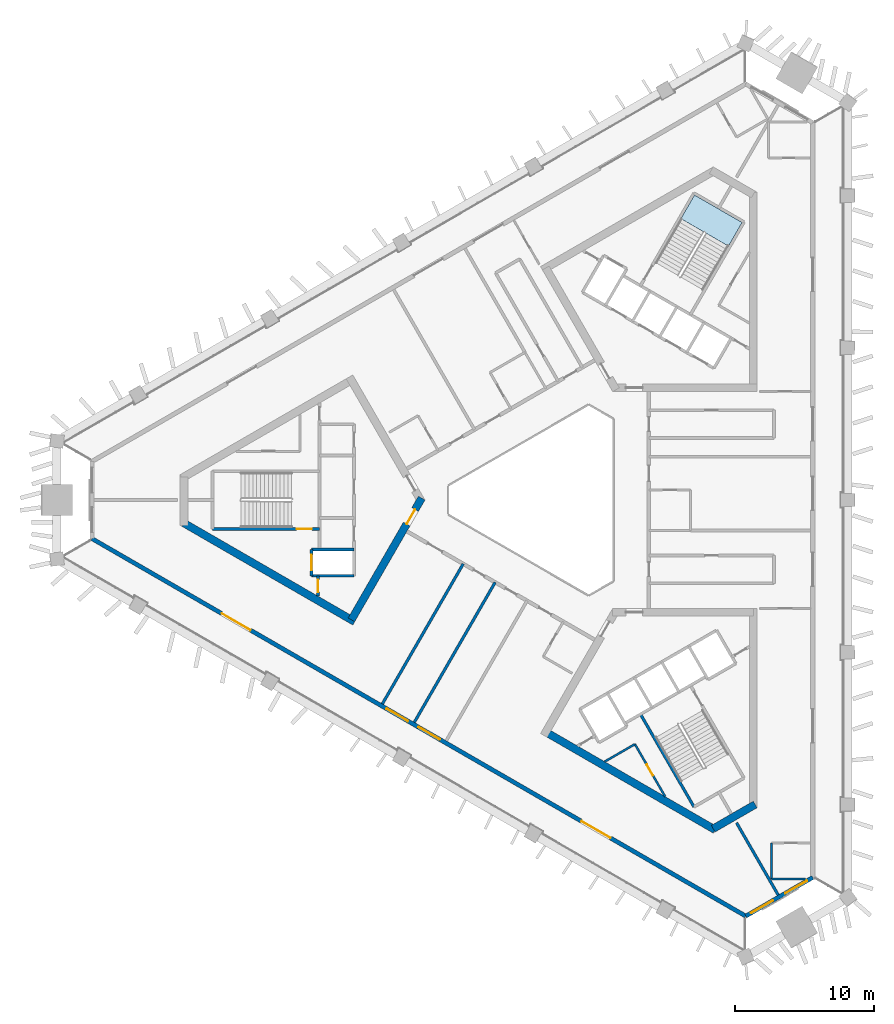
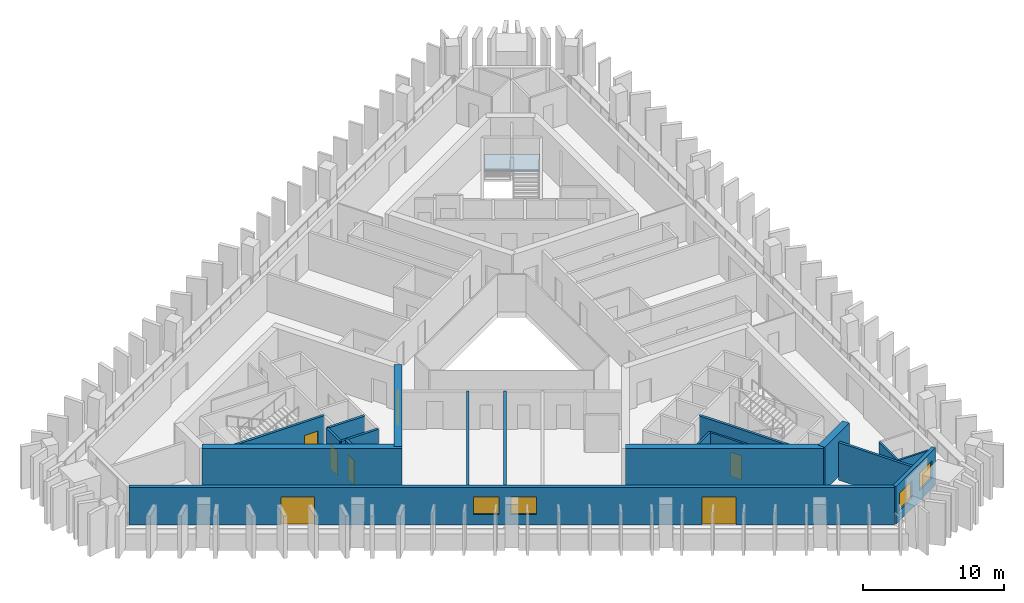
# One storey, part 2 of 10: 19 walls, 7 doors, 4 windows, 1 slab, 11 openings, 1 element without a shape of its own.
"""IFC4 building model written with IfcOpenShell, lengths in metres."""

import ifcopenshell
import ifcopenshell.guid

model = None  # the IFC model being written
_history = None  # IfcOwnerHistory: only IFC2X3 demands one
_inside = {}  # id of a spatial element -> (the spatial element, [elements in it])
_under = {}  # id of a project, library or spatial element -> (it, [spatial elements below it])
_declared = {}  # id of a project -> (the project, [libraries it declares])
_typed = {}  # id of a type object -> (the type object, [elements of that type])
_made_of = {}  # id of a material, layer set ... -> (it, [elements and type objects made of it])


def new_model(schema):
    """Start an empty IFC model of exactly this schema.

    Asked for "IFC4X3", IfcOpenShell would pick the latest addendum, in which some entities
    have other attributes; the version numbers below select the first issue.
    IFC2X3 requires an IfcOwnerHistory on every rooted entity: one is made here for all.
    """
    global model, _history
    if schema == "IFC4X3":
        model = ifcopenshell.file(schema_version=(4, 3, 0, 0))
    else:
        model = ifcopenshell.file(schema=schema)
    _inside.clear()
    _under.clear()
    _declared.clear()
    _typed.clear()
    _made_of.clear()
    _history = None
    if model.schema == "IFC2X3":
        org = make("IfcOrganization", Name="unknown")
        user = make(
            "IfcPersonAndOrganization",
            ThePerson=make("IfcPerson", FamilyName="unknown"),
            TheOrganization=org,
        )
        app = make(
            "IfcApplication",
            ApplicationDeveloper=org,
            Version="unknown",
            ApplicationFullName="unknown",
            ApplicationIdentifier="unknown",
        )
        _history = make(
            "IfcOwnerHistory",
            OwningUser=user,
            OwningApplication=app,
            ChangeAction="ADDED",
            CreationDate=0,
        )
    return model


def make(cls, **values):
    """One entity of the class cls with the attributes given. An attribute that is None is left unset."""
    return model.create_entity(
        cls, **{name: value for name, value in values.items() if value is not None}
    )


def rooted(cls, **values):
    """An entity with a GlobalId (a new one), such as an element, a storey or a relation."""
    return make(cls, GlobalId=ifcopenshell.guid.new(), OwnerHistory=_history, **values)


def si_unit(unit_type, name, prefix=None):
    """IfcSIUnit, for example si_unit("LENGTHUNIT", "METRE", prefix="MILLI")."""
    return make("IfcSIUnit", UnitType=unit_type, Prefix=prefix, Name=name)


def assignment(units):
    """IfcUnitAssignment: the units of a project."""
    return None if units is None else make("IfcUnitAssignment", Units=units)


def point(xyz):
    """IfcCartesianPoint."""
    return None if xyz is None else make("IfcCartesianPoint", Coordinates=xyz)


def direction(xyz):
    """IfcDirection."""
    return None if xyz is None else make("IfcDirection", DirectionRatios=xyz)


def frame(location, z_axis=None, x_axis=None):
    """IfcAxis2Placement3D, a coordinate frame: its origin and axes. An axis left out is left unset."""
    return make(
        "IfcAxis2Placement3D",
        Location=point(location),
        Axis=direction(z_axis),
        RefDirection=direction(x_axis),
    )


def frame_2d(location, x_axis=None):
    """IfcAxis2Placement2D, a coordinate frame in the plane: its origin and x axis."""
    return make(
        "IfcAxis2Placement2D", Location=point(location), RefDirection=direction(x_axis)
    )


def origin():
    """The frame at (0, 0, 0) with its axes left unset."""
    return frame((0.0, 0.0, 0.0))


def place(relative_to, where):
    """IfcLocalPlacement: puts the frame where relative to a parent placement (None: the world)."""
    return make(
        "IfcLocalPlacement", PlacementRelTo=relative_to, RelativePlacement=where
    )


def context(
    kind, dimensions, precision=None, world=None, true_north=None, identifier=None
):
    """IfcGeometricRepresentationContext, for example the 3D "Model" context."""
    return make(
        "IfcGeometricRepresentationContext",
        ContextIdentifier=identifier,
        ContextType=kind,
        CoordinateSpaceDimension=dimensions,
        Precision=precision,
        WorldCoordinateSystem=world,
        TrueNorth=true_north,
    )


def subcontext(parent, identifier, kind, view, scale=None):
    """IfcGeometricRepresentationSubContext, for example "Body" below "Model"."""
    return make(
        "IfcGeometricRepresentationSubContext",
        ContextIdentifier=identifier,
        ContextType=kind,
        ParentContext=parent,
        TargetScale=scale,
        TargetView=view,
    )


def project(units=None, contexts=None):
    """IfcProject with its units and contexts."""
    return rooted(
        "IfcProject",
        Name="project",
        RepresentationContexts=contexts,
        UnitsInContext=assignment(units),
    )


def spatial(cls, under=None, at=None, **own):
    """A site, building, storey or space (cls), placed at a placement, below another one or the project."""
    s = rooted(cls, ObjectPlacement=at, **own)
    if under is not None:
        _under.setdefault(under.id(), (under, []))[1].append(s)
    return s


def polyline(points):
    """IfcPolyline through the points."""
    return make("IfcPolyline", Points=[point(p) for p in points])


def profile(cls, at=None, kind="AREA", **sizes):
    """A parametric profile (cls). Its sizes go by their IFC names, for example OverallWidth=200.0."""
    return make(cls, ProfileType=kind, Position=at, **sizes)


def rectangle(**sizes):
    """IfcRectangleProfileDef."""
    return profile("IfcRectangleProfileDef", **sizes)


def outline(outer, holes=None, kind="AREA"):
    """IfcArbitraryClosedProfileDef: a profile drawn as a closed curve; with holes, ...WithVoids."""
    if holes is None:
        return make("IfcArbitraryClosedProfileDef", ProfileType=kind, OuterCurve=outer)
    return make(
        "IfcArbitraryProfileDefWithVoids",
        ProfileType=kind,
        OuterCurve=outer,
        InnerCurves=holes,
    )


def extrude(swept, where, along, depth):
    """IfcExtrudedAreaSolid: the profile swept, set in the frame where, extruded along a direction by depth."""
    return make(
        "IfcExtrudedAreaSolid",
        SweptArea=swept,
        Position=where,
        ExtrudedDirection=direction(along),
        Depth=depth,
    )


def shape(context_of_items, identifier, shape_type, items):
    """IfcShapeRepresentation: the items that make up one representation, for example the "Body"."""
    return make(
        "IfcShapeRepresentation",
        ContextOfItems=context_of_items,
        RepresentationIdentifier=identifier,
        RepresentationType=shape_type,
        Items=items,
    )


def material(Name=None, Category=None):
    """IfcMaterial."""
    return make("IfcMaterial", Name=Name, Category=Category)


def layer(
    of_material, thickness, ventilated=None, Name=None, Category=None, Priority=None
):
    """IfcMaterialLayer: one layer of a wall or slab, of a material (None: an air gap)."""
    return make(
        "IfcMaterialLayer",
        Material=of_material,
        LayerThickness=thickness,
        IsVentilated=ventilated,
        Name=Name,
        Category=Category,
        Priority=Priority,
    )


def layer_set(layers, Name=None):
    """IfcMaterialLayerSet."""
    return make("IfcMaterialLayerSet", MaterialLayers=layers, LayerSetName=Name)


def made_of(thing, what):
    """Note that an element or type object is made of a material, layer set ...; save() writes the relation."""
    if what is not None:
        _made_of.setdefault(what.id(), (what, []))[1].append(thing)
    return thing


def type_object(cls, material=None, **own):
    """A type object (cls), such as IfcWallType, which elements share."""
    return made_of(rooted(cls, **own), material)


def element(
    cls,
    number,
    at=None,
    inside=None,
    cuts=None,
    type_object=None,
    material=None,
    context=None,
    identifier="Body",
    shape_type=None,
    held_by="IfcProductDefinitionShape",
    body=None,
    shapes=None,
    **own,
):
    """One element of the class cls, such as IfcWall. Its Tag is "e" and its number.

    at: its placement. inside: the storey or other place that contains it. cuts: it is an
    opening in that element (IfcRelVoidsElement). A single representation is given by context,
    identifier, shape_type and body (its items); several are given by shapes. held_by: the class
    of the entity that holds the representations. save() writes the other relations.
    """
    e = rooted(cls, Tag="e%d" % number, ObjectPlacement=at, **own)
    if body is not None:
        shapes = [shape(context, identifier, shape_type, body)]
    if shapes is not None:
        e.Representation = make(held_by, Representations=shapes)
    if inside is not None:
        _inside.setdefault(inside.id(), (inside, []))[1].append(e)
    if cuts is not None:
        rooted(
            "IfcRelVoidsElement", RelatingBuildingElement=cuts, RelatedOpeningElement=e
        )
    if type_object is not None:
        _typed.setdefault(type_object.id(), (type_object, []))[1].append(e)
    return made_of(e, material)


def fill(opening, filler):
    """IfcRelFillsElement: the door or window that sits in an opening."""
    return rooted(
        "IfcRelFillsElement",
        RelatingOpeningElement=opening,
        RelatedBuildingElement=filler,
    )


def aggregate(whole, parts):
    """IfcRelAggregates: a whole, such as a stair, and the parts it consists of."""
    return rooted("IfcRelAggregates", RelatingObject=whole, RelatedObjects=parts)


def save(model, path):
    """Write the relations noted so far, then the file.

    IfcRelAggregates (storeys below a building ...), IfcRelContainedInSpatialStructure (elements
    in a storey), IfcRelDefinesByType, IfcRelAssociatesMaterial and IfcRelDeclares: one each for
    every whole, place, type object, material and project.
    """
    for whole, parts in _under.values():
        aggregate(whole, parts)
    for where, things in _inside.values():
        rooted(
            "IfcRelContainedInSpatialStructure",
            RelatedElements=things,
            RelatingStructure=where,
        )
    for kind, things in _typed.values():
        rooted("IfcRelDefinesByType", RelatedObjects=things, RelatingType=kind)
    for what, things in _made_of.values():
        rooted("IfcRelAssociatesMaterial", RelatedObjects=things, RelatingMaterial=what)
    for by, libraries in _declared.values():
        rooted("IfcRelDeclares", RelatingContext=by, RelatedDefinitions=libraries)
    model.write(path)


model = new_model("IFC4")

# Units and contexts
model_context = context("Model", 3, precision=1e-05, world=origin(), true_north=direction((0.0, 1.0)))
body_context = subcontext(model_context, "Body", "Model", "MODEL_VIEW")
ifc_project = project(units=[si_unit("LENGTHUNIT", "METRE"), si_unit("AREAUNIT", "SQUARE_METRE"), si_unit("VOLUMEUNIT", "CUBIC_METRE"), si_unit("PLANEANGLEUNIT", "RADIAN"), si_unit("MASSUNIT", "GRAM", prefix="KILO")], contexts=[model_context])

# Site, building, storey
site_placement = place(None, origin())
site = spatial("IfcSite", under=ifc_project, at=site_placement, CompositionType="ELEMENT")
building_placement = place(site_placement, origin())
building = spatial("IfcBuilding", under=site, at=building_placement, Name="Jabali Bay Hotel Tower and Convention Centre", CompositionType="ELEMENT")
storey_placement = place(building_placement, frame((0.0, 0.0, 160.0)))
storey = spatial("IfcBuildingStorey", under=building, at=storey_placement, Name="L38", CompositionType="ELEMENT", Elevation=160.0)

# Stair, slab
ifc_material_1 = material(Name="Concrete C40", Category="concrete")
stair_type = type_object("IfcStairType", Name="Exit stair 1900", PredefinedType="HALF_TURN_STAIR", material=ifc_material_1)
stair_placement = place(storey_placement, origin())
stair = element("IfcStair", 1, at=stair_placement, inside=storey, type_object=stair_type, Name="L38 Exit Stair 2", PredefinedType="HALF_TURN_STAIR")
ifc_layer_1 = layer(ifc_material_1, 0.199951171875)
ifc_layer_set_1 = layer_set([ifc_layer_1], Name="Concrete C40")
slab_type = type_object("IfcSlabType", Name="Stair landing 200", PredefinedType="LANDING", material=ifc_layer_set_1)
slab_placement = place(storey_placement, frame((0.0, 0.0, 1.64990234375)))
slab = element("IfcSlab", 2, at=slab_placement, type_object=slab_type, Name="ST2 landing 1", PredefinedType="LANDING", context=body_context, shape_type="SweptSolid", body=[
    extrude(outline(polyline([(87.81884765625, 98.2529296875), (88.80029296875, 99.952880859375), (85.379638671875, 101.927978515625), (84.398193359375, 100.22802734375), (87.81884765625, 98.2529296875)])), origin(), (0.0, 0.0, 1.0), 0.2001953125),
])
aggregate(stair, [slab])

# Wall, opening, door
ifc_layer_2 = layer(ifc_material_1, 0.199951171875)
ifc_layer_set_2 = layer_set([ifc_layer_2], Name="Concrete C40")
wall_type_1 = type_object("IfcWallType", Name="Core partition wall 200", PredefinedType="PARTITIONING", material=ifc_layer_set_2)
wall_1_placement = place(storey_placement, frame((58.300048828125, 74.550048828125, 0.0), z_axis=(0.0, 0.0, 1.0), x_axis=(0.0, -1.0, 0.0)))
wall_1 = element("IfcWall", 3, at=wall_1_placement, inside=storey, type_object=wall_type_1, Name="Core wall 0.11 L38", PredefinedType="PARTITIONING", context=body_context, shape_type="SweptSolid", body=[
    extrude(rectangle(XDim=1.455078125, YDim=0.199951171875, at=frame_2d((0.7275390625, 0.0))), origin(), (0.0, 0.0, 1.0), 3.25),
])
opening_1_placement = place(wall_1_placement, frame((0.277587890625, 0.0, 0.0)))
opening_1 = element("IfcOpeningElement", 4, at=opening_1_placement, cuts=wall_1, Name="Opening D829", PredefinedType="OPENING", context=body_context, shape_type="SweptSolid", body=[
    extrude(rectangle(XDim=0.89990234375, YDim=2.10009765625, at=frame_2d((0.449951171875, 1.050048828125))), frame((0.0, 0.1103515625, 0.0), z_axis=(0.0, -1.0, 0.0), x_axis=(1.0, 0.0, 0.0)), (0.0, 0.0, 1.0), 0.220947265625),
])
ifc_material_2 = material(Name="Fire-rated steel door", Category="steel")
door_type_1 = type_object("IfcDoorType", Name="Vestibule fire door 900 x 2100", OperationType="NOTDEFINED", PredefinedType="NOTDEFINED", material=ifc_material_2)
door_1_placement = place(opening_1_placement, origin())
door_1 = element("IfcDoor", 5, at=door_1_placement, inside=storey, type_object=door_type_1, Name="Vestibule fire door D829", OperationType="SINGLE_SWING_LEFT", OverallHeight=2.10009765625, OverallWidth=0.89990234375, PredefinedType="NOTDEFINED", context=body_context, shape_type="SweptSolid", body=[
    extrude(rectangle(XDim=0.89990234375, YDim=2.10009765625, at=frame_2d((0.449951171875, 1.050048828125))), frame((0.0, 0.02490234375, 0.0), z_axis=(0.0, -1.0, 0.0), x_axis=(1.0, 0.0, 0.0)), (0.0, 0.0, 1.0), 0.050048828125),
])
fill(opening_1, door_1)

ifc_material_3 = material(Name="Fire-rated board partition")
ifc_layer_3 = layer(ifc_material_3, 0.14990234375)
ifc_layer_set_3 = layer_set([ifc_layer_3], Name="Fire-rated board partition")
wall_type_2 = type_object("IfcWallType", Name="Core room partition 150", PredefinedType="PARTITIONING", material=ifc_layer_set_3)
wall_2_placement = place(storey_placement, frame((81.093994140625, 62.445068359375, 0.0), z_axis=(0.0, 0.0, 1.0), x_axis=(0.499980071345, -0.866036909293, 0.0)))
wall_2 = element("IfcWall", 6, at=wall_2_placement, inside=storey, type_object=wall_type_2, Name="Core wall 2.1 L38", PredefinedType="PARTITIONING", context=body_context, shape_type="SweptSolid", body=[
    extrude(rectangle(XDim=4.347900390625, YDim=0.14990234375, at=frame_2d((2.173828125, 0.0))), origin(), (0.0, 0.0, 1.0), 3.25),
])
opening_2_placement = place(wall_2_placement, frame((1.696533203125, 0.0, 0.0)))
opening_2 = element("IfcOpeningElement", 7, at=opening_2_placement, cuts=wall_2, Name="Opening D844", PredefinedType="OPENING", context=body_context, shape_type="SweptSolid", body=[
    extrude(rectangle(XDim=0.89990234375, YDim=2.10009765625, at=frame_2d((0.449951171875, 1.050048828125))), frame((0.0, 0.08544921875, 0.0), z_axis=(0.0, -1.0, 0.0), x_axis=(1.0, 0.0, 0.0)), (0.0, 0.0, 1.0), 0.1708984375),
])
door_type_2 = type_object("IfcDoorType", Name="Core room door 900 x 2100", OperationType="NOTDEFINED", PredefinedType="NOTDEFINED", material=ifc_material_2)
door_2_placement = place(opening_2_placement, origin())
door_2 = element("IfcDoor", 8, at=door_2_placement, inside=storey, type_object=door_type_2, Name="Core room door D844", OperationType="SINGLE_SWING_LEFT", OverallHeight=2.10009765625, OverallWidth=0.89990234375, PredefinedType="NOTDEFINED", context=body_context, shape_type="SweptSolid", body=[
    extrude(rectangle(XDim=0.89990234375, YDim=2.10009765625, at=frame_2d((0.449951171875, 1.050048828125))), frame((0.0, 0.02490234375, 0.0), z_axis=(0.0, -1.0, 0.0), x_axis=(1.0, 0.0, 0.0)), (0.0, 0.0, 1.0), 0.050048828125),
])
fill(opening_2, door_2)

# Wall
wall_3_placement = place(storey_placement, frame((78.919921875, 61.18994140625, 0.0), z_axis=(0.0, 0.0, 1.0), x_axis=(0.866038211682, 0.499977815414, 0.0)))
element("IfcWall", 9, at=wall_3_placement, inside=storey, type_object=wall_type_2, Name="Core wall 2.16 L38", PredefinedType="PARTITIONING", context=body_context, shape_type="SweptSolid", body=[
    extrude(rectangle(XDim=2.51025390625, YDim=0.14990234375, at=frame_2d((1.255126953125, 0.0))), origin(), (0.0, 0.0, 1.0), 3.25),
])

# Wall, opening, door
ifc_layer_4 = layer(ifc_material_1, 0.199951171875)
ifc_layer_set_4 = layer_set([ifc_layer_4], Name="Concrete C40")
wall_type_3 = type_object("IfcWallType", Name="Core stair wall 200", PredefinedType="SOLIDWALL", material=ifc_layer_set_4)
wall_4_placement = place(storey_placement, frame((58.419921875, 77.925048828125, 0.0), z_axis=(0.0, 0.0, 1.0), x_axis=(-1.0, 0.0, 0.0)))
wall_4 = element("IfcWall", 10, at=wall_4_placement, inside=storey, type_object=wall_type_3, Name="Core wall 0.6 L38", PredefinedType="SOLIDWALL", context=body_context, shape_type="SweptSolid", body=[
    extrude(rectangle(XDim=7.699951171875, YDim=0.199951171875, at=frame_2d((3.85009765625, 0.0))), origin(), (0.0, 0.0, 1.0), 3.25),
])
opening_3_placement = place(wall_4_placement, frame((0.550048828125, 0.0, 0.0)))
opening_3 = element("IfcOpeningElement", 11, at=opening_3_placement, cuts=wall_4, Name="Opening D831", PredefinedType="OPENING", context=body_context, shape_type="SweptSolid", body=[
    extrude(rectangle(XDim=1.10009765625, YDim=2.10009765625, at=frame_2d((0.550048828125, 1.050048828125))), frame((0.0, 0.1103515625, 0.0), z_axis=(0.0, -1.0, 0.0), x_axis=(1.0, 0.0, 0.0)), (0.0, 0.0, 1.0), 0.220947265625),
])
door_type_3 = type_object("IfcDoorType", Name="Stair fire door 1100 x 2100", OperationType="NOTDEFINED", PredefinedType="NOTDEFINED", material=ifc_material_2)
door_3_placement = place(opening_3_placement, origin())
door_3 = element("IfcDoor", 12, at=door_3_placement, inside=storey, type_object=door_type_3, Name="Stair fire door D831", OperationType="SINGLE_SWING_RIGHT", OverallHeight=2.10009765625, OverallWidth=1.10009765625, PredefinedType="NOTDEFINED", context=body_context, shape_type="SweptSolid", body=[
    extrude(rectangle(XDim=1.10009765625, YDim=2.10009765625, at=frame_2d((0.550048828125, 1.050048828125))), frame((0.0, 0.02490234375, 0.0), z_axis=(0.0, -1.0, 0.0), x_axis=(1.0, 0.0, 0.0)), (0.0, 0.0, 1.0), 0.050048828125),
])
fill(opening_3, door_3)

# Walls
for number, where, z_axis, x_axis, name in (
    (13, (60.89990234375, 76.449951171875, 0.0), (0.0, 0.0, 1.0), (-1.0, 0.0, 0.0), "Core wall 0.7 L38"),
    (14, (60.89990234375, 74.550048828125, 0.0), (0.0, 0.0, 1.0), (-1.0, 0.0, 0.0), "Core wall 0.8 L38"),
):
    element("IfcWall", number, at=place(storey_placement, frame(where, z_axis=z_axis, x_axis=x_axis)), inside=storey, type_object=wall_type_3, Name=name, PredefinedType="SOLIDWALL", context=body_context, shape_type="SweptSolid", body=[
        extrude(rectangle(XDim=3.0498046875, YDim=0.199951171875, at=frame_2d((1.52490234375, 0.0))), origin(), (0.0, 0.0, 1.0), 3.25),
    ])

# Wall, opening, door
wall_5_placement = place(storey_placement, frame((57.85009765625, 76.449951171875, 0.0), z_axis=(0.0, 0.0, 1.0), x_axis=(0.0, -1.0, 0.0)))
wall_5 = element("IfcWall", 15, at=wall_5_placement, inside=storey, type_object=wall_type_3, Name="Core wall 0.12 L38", PredefinedType="SOLIDWALL", context=body_context, shape_type="SweptSolid", body=[
    extrude(rectangle(XDim=1.89990234375, YDim=0.199951171875, at=frame_2d((0.949951171875, 0.0))), origin(), (0.0, 0.0, 1.0), 3.25),
])
opening_4_placement = place(wall_5_placement, frame((0.39990234375, 0.0, 0.0)))
opening_4 = element("IfcOpeningElement", 16, at=opening_4_placement, cuts=wall_5, Name="Opening LD5-L38", PredefinedType="OPENING", context=body_context, shape_type="SweptSolid", body=[
    extrude(rectangle(XDim=1.10009765625, YDim=2.10009765625, at=frame_2d((0.550048828125, 1.050048828125))), frame((0.0, 0.1103515625, 0.0), z_axis=(0.0, -1.0, 0.0), x_axis=(1.0, 0.0, 0.0)), (0.0, 0.0, 1.0), 0.220947265625),
])
ifc_material_4 = material(Name="Stainless steel landing door", Category="steel")
door_type_4 = type_object("IfcDoorType", Name="Landing door 1100 x 2100", OperationType="NOTDEFINED", PredefinedType="NOTDEFINED", material=ifc_material_4)
door_4_placement = place(opening_4_placement, origin())
door_4 = element("IfcDoor", 17, at=door_4_placement, inside=storey, type_object=door_type_4, Name="Landing doors LD5-L38", OperationType="SLIDING_TO_RIGHT", OverallHeight=2.10009765625, OverallWidth=1.10009765625, PredefinedType="NOTDEFINED", context=body_context, shape_type="SweptSolid", body=[
    extrude(rectangle(XDim=1.10009765625, YDim=2.10009765625, at=frame_2d((0.550048828125, 1.050048828125))), frame((0.0, 0.02490234375, 0.0), z_axis=(0.0, -1.0, 0.0), x_axis=(1.0, 0.0, 0.0)), (0.0, 0.0, 1.0), 0.050048828125),
])
fill(opening_4, door_4)

# Walls
wall_6_placement = place(storey_placement, frame((81.492919921875, 64.603759765625, 0.0), z_axis=(0.0, 0.0, 1.0), x_axis=(0.500006057782, -0.866021906294, 0.0)))
element("IfcWall", 18, at=wall_6_placement, inside=storey, type_object=wall_type_3, Name="Core wall 2.3 L38", PredefinedType="SOLIDWALL", context=body_context, shape_type="SweptSolid", body=[
    extrude(rectangle(XDim=7.7001953125, YDim=0.199951171875, at=frame_2d((3.85009765625, 0.0))), origin(), (0.0, 0.0, 1.0), 3.25),
])
ifc_material_5 = material(Name="Concrete C60", Category="concrete")
ifc_layer_5 = layer(ifc_material_5, 0.550048828125)
ifc_layer_set_5 = layer_set([ifc_layer_5], Name="Concrete C60")
wall_type_4 = type_object("IfcWallType", Name="Core wall 550", PredefinedType="SHEAR", material=ifc_layer_set_5)
wall_7_placement = place(storey_placement, frame((48.671875, 78.336181640625, 0.0), z_axis=(0.0, 0.0, 1.0), x_axis=(0.866023530946, -0.500003243837, 0.0)))
element("IfcWall", 19, at=wall_7_placement, inside=storey, type_object=wall_type_4, Name="Core wall 1.4 L38", PredefinedType="SHEAR", context=body_context, shape_type="SweptSolid", body=[
    extrude(rectangle(XDim=14.1748046875, YDim=0.550048828125, at=frame_2d((7.08740234375, 0.0))), origin(), (0.0, 0.0, 1.0), 3.699951171875),
])

# Wall, opening, door
wall_8_placement = place(storey_placement, frame((60.709228515625, 71.38623046875, 0.0), z_axis=(0.0, 0.0, 1.0), x_axis=(0.500015938302, 0.866016201606, 0.0)))
wall_8 = element("IfcWall", 20, at=wall_8_placement, inside=storey, type_object=wall_type_4, Name="Core wall 1.5 L38", PredefinedType="SHEAR", context=body_context, shape_type="SweptSolid", body=[
    extrude(rectangle(XDim=10.105224609375, YDim=0.550048828125, at=frame_2d((5.052734375, 0.0))), origin(), (0.0, 0.0, 1.0), 3.699951171875),
])
opening_5_placement = place(wall_8_placement, frame((7.955078125, 0.0, 0.0)))
opening_5 = element("IfcOpeningElement", 21, at=opening_5_placement, cuts=wall_8, Name="Opening D825", PredefinedType="OPENING", context=body_context, shape_type="SweptSolid", body=[
    extrude(rectangle(XDim=1.199951171875, YDim=2.10009765625, at=frame_2d((0.60009765625, 1.050048828125))), frame((0.0, 0.28564453125, 0.0), z_axis=(0.0, -1.0, 0.0), x_axis=(1.0, 0.0, 0.0)), (0.0, 0.0, 1.0), 0.571044921875),
])
door_type_5 = type_object("IfcDoorType", Name="Corridor end fire door 1200 x 2100", OperationType="NOTDEFINED", PredefinedType="NOTDEFINED", material=ifc_material_2)
door_5_placement = place(opening_5_placement, origin())
door_5 = element("IfcDoor", 22, at=door_5_placement, inside=storey, type_object=door_type_5, Name="Corridor end fire door D825", OperationType="SINGLE_SWING_LEFT", OverallHeight=2.10009765625, OverallWidth=1.199951171875, PredefinedType="NOTDEFINED", context=body_context, shape_type="SweptSolid", body=[
    extrude(rectangle(XDim=1.199951171875, YDim=2.10009765625, at=frame_2d((0.60009765625, 1.050048828125))), frame((0.0, 0.02490234375, 0.0), z_axis=(0.0, -1.0, 0.0), x_axis=(1.0, 0.0, 0.0)), (0.0, 0.0, 1.0), 0.050048828125),
])
fill(opening_5, door_5)

# Walls
wall_9_placement = place(storey_placement, frame((74.685546875, 63.317138671875, 0.0), z_axis=(0.0, 0.0, 1.0), x_axis=(0.866024505738, -0.500001555459, 0.0)))
element("IfcWall", 23, at=wall_9_placement, inside=storey, type_object=wall_type_4, Name="Core wall 3.2 L38", PredefinedType="SHEAR", context=body_context, shape_type="SweptSolid", body=[
    extrude(rectangle(XDim=14.05859375, YDim=0.550048828125, at=frame_2d((7.029296875, 0.0))), origin(), (0.0, 0.0, 1.0), 3.699951171875),
])
wall_10_placement = place(storey_placement, frame((86.72314453125, 56.3671875, 0.0), z_axis=(0.0, 0.0, 1.0), x_axis=(0.865997833373, 0.500047750313, 0.0)))
element("IfcWall", 24, at=wall_10_placement, inside=storey, type_object=wall_type_4, Name="Core wall 3.3 L38", PredefinedType="SHEAR", context=body_context, shape_type="SweptSolid", body=[
    extrude(rectangle(XDim=3.486572265625, YDim=0.550048828125, at=frame_2d((1.7431640625, 0.0))), origin(), (0.0, 0.0, 1.0), 3.699951171875),
])

# Wall, openings, windows
ifc_layer_6 = layer(ifc_material_1, 0.300048828125)
ifc_layer_set_6 = layer_set([ifc_layer_6], Name="Concrete C40")
wall_type_5 = type_object("IfcWallType", Name="External wall 300", PredefinedType="SOLIDWALL", material=ifc_layer_set_6)
wall_11_placement = place(storey_placement, frame((93.87548828125, 52.8603515625, 0.0), z_axis=(0.0, 0.0, 1.0), x_axis=(-0.866021602438, -0.500006584067, 0.0)))
wall_11 = element("IfcWall", 25, at=wall_11_placement, inside=storey, type_object=wall_type_5, Name="External wall south-east chamfer L38", PredefinedType="SOLIDWALL", context=body_context, shape_type="SweptSolid", body=[
    extrude(rectangle(XDim=5.5537109375, YDim=0.300048828125, at=frame_2d((2.77685546875, 0.0))), origin(), (0.0, 0.0, 1.0), 3.25),
])
opening_6_placement = place(wall_11_placement, frame((0.47607421875, 0.0, 0.89990234375)))
opening_6 = element("IfcOpeningElement", 26, at=opening_6_placement, cuts=wall_11, Name="Opening W1", PredefinedType="OPENING", context=body_context, shape_type="SweptSolid", body=[
    extrude(rectangle(XDim=1.800048828125, YDim=1.5, at=frame_2d((0.89990234375, 0.75))), frame((0.0, 0.16064453125, 0.0), z_axis=(0.0, -1.0, 0.0), x_axis=(1.0, 0.0, 0.0)), (0.0, 0.0, 1.0), 0.321044921875),
])
opening_7_placement = place(wall_11_placement, frame((3.307861328125, 0.0, 0.89990234375)))
opening_7 = element("IfcOpeningElement", 27, at=opening_7_placement, cuts=wall_11, Name="Opening W1", PredefinedType="OPENING", context=body_context, shape_type="SweptSolid", body=[
    extrude(rectangle(XDim=1.800048828125, YDim=1.5, at=frame_2d((0.89990234375, 0.75))), frame((0.0, 0.16064453125, 0.0), z_axis=(0.0, -1.0, 0.0), x_axis=(1.0, 0.0, 0.0)), (0.0, 0.0, 1.0), 0.321044921875),
])
ifc_material_6 = material(Name="Glass", Category="glass")
window_type = type_object("IfcWindowType", Name="Window 1800 x 1500", PartitioningType="SINGLE_PANEL", PredefinedType="WINDOW", material=ifc_material_6)
window_1_placement = place(opening_6_placement, origin())
window_1 = element("IfcWindow", 28, at=window_1_placement, inside=storey, type_object=window_type, Name="Window 3801", OverallHeight=1.5, OverallWidth=1.800048828125, PartitioningType="SINGLE_PANEL", PredefinedType="WINDOW", context=body_context, shape_type="SweptSolid", body=[
    extrude(rectangle(XDim=1.800048828125, YDim=1.5, at=frame_2d((0.89990234375, 0.75))), frame((0.0, 0.030029296875, 0.0), z_axis=(0.0, -1.0, 0.0), x_axis=(1.0, 0.0, 0.0)), (0.0, 0.0, 1.0), 0.06005859375),
])
fill(opening_6, window_1)
window_2_placement = place(opening_7_placement, origin())
window_2 = element("IfcWindow", 29, at=window_2_placement, inside=storey, type_object=window_type, Name="Window 3813", OverallHeight=1.5, OverallWidth=1.800048828125, PartitioningType="SINGLE_PANEL", PredefinedType="WINDOW", context=body_context, shape_type="SweptSolid", body=[
    extrude(rectangle(XDim=1.800048828125, YDim=1.5, at=frame_2d((0.89990234375, 0.75))), frame((0.0, 0.030029296875, 0.0), z_axis=(0.0, -1.0, 0.0), x_axis=(1.0, 0.0, 0.0)), (0.0, 0.0, 1.0), 0.06005859375),
])
fill(opening_7, window_2)

# Wall, openings, doors, windows
wall_12_placement = place(storey_placement, frame((89.06591796875, 50.08349609375, 0.0), z_axis=(0.0, 0.0, 1.0), x_axis=(-0.866025745652, 0.499999407868, 0.0)))
wall_12 = element("IfcWall", 30, at=wall_12_placement, inside=storey, type_object=wall_type_5, Name="External wall south-west face L38", PredefinedType="SOLIDWALL", context=body_context, shape_type="SweptSolid", body=[
    extrude(rectangle(XDim=54.279296875, YDim=0.300048828125, at=frame_2d((27.1396484375, 0.0))), origin(), (0.0, 0.0, 1.0), 3.25),
])
opening_8_placement = place(wall_12_placement, frame((41.111572265625, 0.0, 0.0)))
opening_8 = element("IfcOpeningElement", 31, at=opening_8_placement, cuts=wall_12, Name="Opening SD1", PredefinedType="OPENING", context=body_context, shape_type="SweptSolid", body=[
    extrude(rectangle(XDim=2.39990234375, YDim=2.39990234375, at=frame_2d((1.199951171875, 1.199951171875))), frame((0.0, 0.16064453125, 0.0), z_axis=(0.0, -1.0, 0.0), x_axis=(1.0, 0.0, 0.0)), (0.0, 0.0, 1.0), 0.321044921875),
])
opening_9_placement = place(wall_12_placement, frame((11.2353515625, 0.0, 0.0)))
opening_9 = element("IfcOpeningElement", 32, at=opening_9_placement, cuts=wall_12, Name="Opening SD1", PredefinedType="OPENING", context=body_context, shape_type="SweptSolid", body=[
    extrude(rectangle(XDim=2.39990234375, YDim=2.39990234375, at=frame_2d((1.199951171875, 1.199951171875))), frame((0.0, 0.16064453125, 0.0), z_axis=(0.0, -1.0, 0.0), x_axis=(1.0, 0.0, 0.0)), (0.0, 0.0, 1.0), 0.321044921875),
])
opening_10_placement = place(wall_12_placement, frame((28.0322265625, 0.0, 0.89990234375)))
opening_10 = element("IfcOpeningElement", 33, at=opening_10_placement, cuts=wall_12, Name="Opening W1", PredefinedType="OPENING", context=body_context, shape_type="SweptSolid", body=[
    extrude(rectangle(XDim=1.800048828125, YDim=1.5, at=frame_2d((0.89990234375, 0.75))), frame((0.0, 0.16064453125, 0.0), z_axis=(0.0, -1.0, 0.0), x_axis=(1.0, 0.0, 0.0)), (0.0, 0.0, 1.0), 0.321044921875),
])
opening_11_placement = place(wall_12_placement, frame((25.38232421875, 0.0, 0.89990234375)))
opening_11 = element("IfcOpeningElement", 34, at=opening_11_placement, cuts=wall_12, Name="Opening W1", PredefinedType="OPENING", context=body_context, shape_type="SweptSolid", body=[
    extrude(rectangle(XDim=1.800048828125, YDim=1.5, at=frame_2d((0.89990234375, 0.75))), frame((0.0, 0.16064453125, 0.0), z_axis=(0.0, -1.0, 0.0), x_axis=(1.0, 0.0, 0.0)), (0.0, 0.0, 1.0), 0.321044921875),
])
door_type_6 = type_object("IfcDoorType", Name="Loggia sliding door 2400 x 2400", OperationType="NOTDEFINED", PredefinedType="NOTDEFINED", material=ifc_material_6)
door_6_placement = place(opening_8_placement, origin())
door_6 = element("IfcDoor", 35, at=door_6_placement, inside=storey, type_object=door_type_6, Name="Loggia sliding door 3810", OperationType="SLIDING_TO_LEFT", OverallHeight=2.39990234375, OverallWidth=2.39990234375, PredefinedType="NOTDEFINED", context=body_context, shape_type="SweptSolid", body=[
    extrude(rectangle(XDim=2.39990234375, YDim=2.39990234375, at=frame_2d((1.199951171875, 1.199951171875))), frame((0.0, 0.02490234375, 0.0), z_axis=(0.0, -1.0, 0.0), x_axis=(1.0, 0.0, 0.0)), (0.0, 0.0, 1.0), 0.050048828125),
])
fill(opening_8, door_6)
door_7_placement = place(opening_9_placement, origin())
door_7 = element("IfcDoor", 36, at=door_7_placement, inside=storey, type_object=door_type_6, Name="Loggia sliding door 3813", OperationType="SLIDING_TO_RIGHT", OverallHeight=2.39990234375, OverallWidth=2.39990234375, PredefinedType="NOTDEFINED", context=body_context, shape_type="SweptSolid", body=[
    extrude(rectangle(XDim=2.39990234375, YDim=2.39990234375, at=frame_2d((1.199951171875, 1.199951171875))), frame((0.0, 0.02490234375, 0.0), z_axis=(0.0, -1.0, 0.0), x_axis=(1.0, 0.0, 0.0)), (0.0, 0.0, 1.0), 0.050048828125),
])
fill(opening_9, door_7)
window_3_placement = place(opening_10_placement, origin())
window_3 = element("IfcWindow", 37, at=window_3_placement, inside=storey, type_object=window_type, Name="Window 3811", OverallHeight=1.5, OverallWidth=1.800048828125, PartitioningType="SINGLE_PANEL", PredefinedType="WINDOW", context=body_context, shape_type="SweptSolid", body=[
    extrude(rectangle(XDim=1.800048828125, YDim=1.5, at=frame_2d((0.89990234375, 0.75))), frame((0.0, 0.030029296875, 0.0), z_axis=(0.0, -1.0, 0.0), x_axis=(1.0, 0.0, 0.0)), (0.0, 0.0, 1.0), 0.06005859375),
])
fill(opening_10, window_3)
window_4_placement = place(opening_11_placement, origin())
window_4 = element("IfcWindow", 38, at=window_4_placement, inside=storey, type_object=window_type, Name="Window 3812", OverallHeight=1.5, OverallWidth=1.800048828125, PartitioningType="SINGLE_PANEL", PredefinedType="WINDOW", context=body_context, shape_type="SweptSolid", body=[
    extrude(rectangle(XDim=1.800048828125, YDim=1.5, at=frame_2d((0.89990234375, 0.75))), frame((0.0, 0.030029296875, 0.0), z_axis=(0.0, -1.0, 0.0), x_axis=(1.0, 0.0, 0.0)), (0.0, 0.0, 1.0), 0.06005859375),
])
fill(opening_11, window_4)

# Walls
ifc_material_7 = material(Name="Plasterboard on steel stud", Category="steel")
ifc_layer_7 = layer(ifc_material_7, 0.14990234375)
ifc_layer_set_7 = layer_set([ifc_layer_7], Name="Plasterboard on steel stud")
wall_type_6 = type_object("IfcWallType", Name="Partition 150 wet", PredefinedType="PARTITIONING", material=ifc_layer_set_7)
wall_13_placement = place(storey_placement, frame((93.37255859375, 52.741943359375, 0.0), z_axis=(0.0, 0.0, 1.0), x_axis=(-1.0, 0.0, 0.0)))
element("IfcWall", 39, at=wall_13_placement, inside=storey, type_object=wall_type_6, Name="Partition P03 L38 007", PredefinedType="PARTITIONING", context=body_context, shape_type="SweptSolid", body=[
    extrude(rectangle(XDim=2.470947265625, YDim=0.14990234375, at=frame_2d((1.2353515625, 0.0))), origin(), (0.0, 0.0, 1.0), 3.25),
])
wall_14_placement = place(storey_placement, frame((90.901611328125, 52.741943359375, 0.0), z_axis=(0.0, 0.0, 1.0), x_axis=(0.0, 1.0, 0.0)))
element("IfcWall", 40, at=wall_14_placement, inside=storey, type_object=wall_type_6, Name="Partition P03 L38 008", PredefinedType="PARTITIONING", context=body_context, shape_type="SweptSolid", body=[
    extrude(rectangle(XDim=2.60009765625, YDim=0.14990234375, at=frame_2d((1.300048828125, 0.0))), origin(), (0.0, 0.0, 1.0), 3.25),
])
ifc_layer_8 = layer(ifc_material_7, 0.199951171875)
ifc_layer_set_8 = layer_set([ifc_layer_8], Name="Plasterboard on steel stud")
wall_type_7 = type_object("IfcWallType", Name="Partition 200 party", PredefinedType="PARTITIONING", material=ifc_layer_set_8)
wall_15_placement = place(storey_placement, frame((88.40185546875, 56.789306640625, 0.0), z_axis=(0.0, 0.0, 1.0), x_axis=(0.499996458184, -0.866027448643, 0.0)))
element("IfcWall", 41, at=wall_15_placement, inside=storey, type_object=wall_type_7, Name="Partition P01 L38 010", PredefinedType="PARTITIONING", context=body_context, shape_type="SweptSolid", body=[
    extrude(rectangle(XDim=5.990234375, YDim=0.199951171875, at=frame_2d((2.9951171875, 0.0))), origin(), (0.0, 0.0, 1.0), 3.25),
])
wall_16_placement = place(storey_placement, frame((62.936767578125, 65.34130859375, 0.0), z_axis=(0.0, 0.0, 1.0), x_axis=(0.4999987432, 0.866026129397, 0.0)))
element("IfcWall", 42, at=wall_16_placement, inside=storey, type_object=wall_type_7, Name="Partition P01 L38 037", PredefinedType="PARTITIONING", context=body_context, shape_type="SweptSolid", body=[
    extrude(rectangle(XDim=11.62646484375, YDim=0.199951171875, at=frame_2d((5.813232421875, 0.0))), origin(), (0.0, 0.0, 1.0), 3.25),
])
wall_17_placement = place(storey_placement, frame((65.231689453125, 64.016357421875, 0.0), z_axis=(0.0, 0.0, 1.0), x_axis=(0.500007836003, 0.866020879619, 0.0)))
element("IfcWall", 43, at=wall_17_placement, inside=storey, type_object=wall_type_7, Name="Partition P01 L38 038", PredefinedType="PARTITIONING", context=body_context, shape_type="SweptSolid", body=[
    extrude(rectangle(XDim=11.626220703125, YDim=0.199951171875, at=frame_2d((5.81298828125, 0.0))), origin(), (0.0, 0.0, 1.0), 3.25),
])

save(model, "model.ifc")
